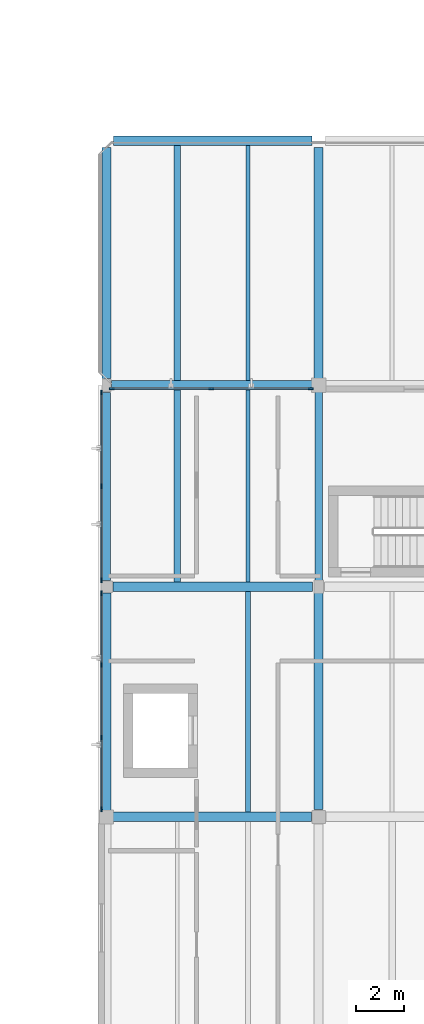
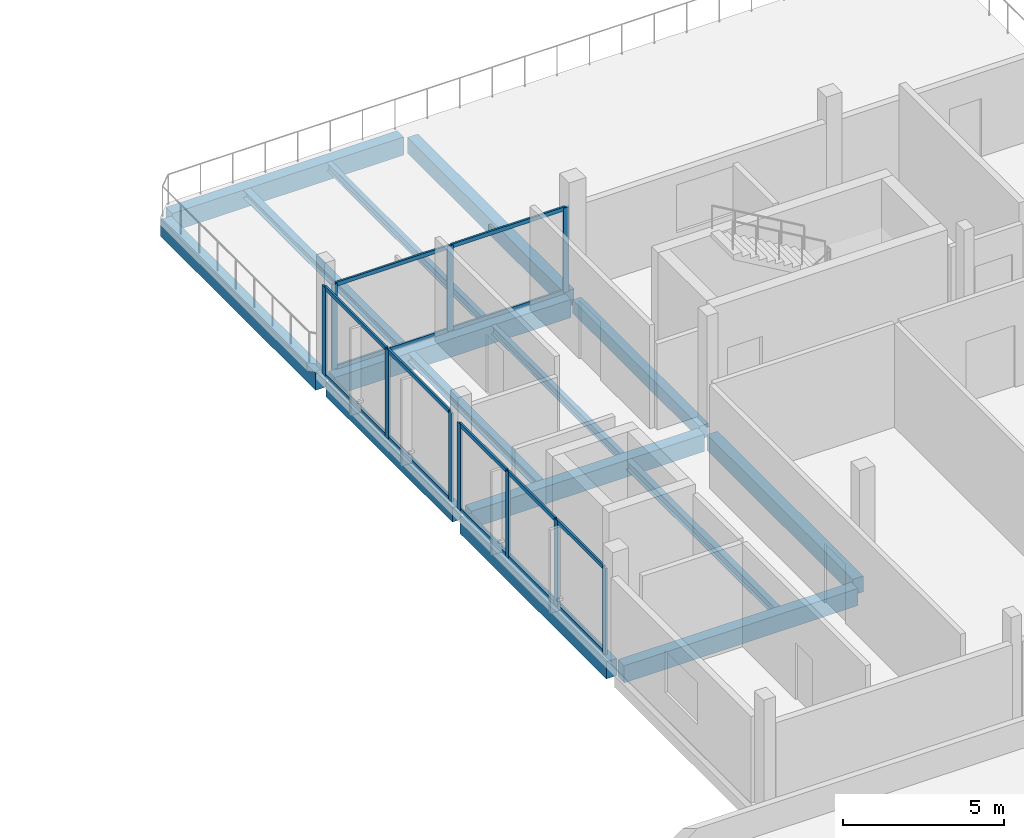
# One storey, part 15 of 41: 24 members, 15 beams, 3 elements without a shape of their own.
"""IFC4 building model written with IfcOpenShell, lengths in metres."""

from ifc_helpers import new_model, si_unit, direction, frame, origin, origin_2d, place, context, subcontext, project, spatial, rectangle, i_section, extrude, material, layer, layer_set, material_profile, profile_set, type_object, element, aggregate, save


model = new_model("IFC4")

# Units and contexts
model_context = context("Model", 3, precision=1e-05, world=origin(), true_north=direction((0.0, 1.0)))
body_context = subcontext(model_context, "Body", "Model", "MODEL_VIEW")
ifc_project = project(units=[si_unit("LENGTHUNIT", "METRE"), si_unit("AREAUNIT", "SQUARE_METRE"), si_unit("VOLUMEUNIT", "CUBIC_METRE"), si_unit("PLANEANGLEUNIT", "RADIAN"), si_unit("MASSUNIT", "GRAM", prefix="KILO")], contexts=[model_context])

# Site, building, storey
site_placement = place(None, origin())
site = spatial("IfcSite", under=ifc_project, at=site_placement, CompositionType="ELEMENT")
building_placement = place(site_placement, origin())
building = spatial("IfcBuilding", under=site, at=building_placement, Name="Birchvale Park Specialist Clinic", CompositionType="ELEMENT")
storey_placement = place(building_placement, frame((0.0, 0.0, 9.60009765625)))
storey = spatial("IfcBuildingStorey", under=building, at=storey_placement, Name="L02", CompositionType="ELEMENT", Elevation=9.60009765625)

# Beams
ifc_material_1 = material(Name="Concrete C40/50", Category="concrete")
ifc_material_profile_1 = material_profile(ifc_material_1, rectangle(XDim=0.39990234375, YDim=0.68994140625, at=origin_2d()), Name="RCB-400x690")
ifc_profile_set_1 = profile_set([ifc_material_profile_1], Name="Concrete C40/50")
beam_type_1 = type_object("IfcBeamType", Name="BM-EXT-BG4", PredefinedType="BEAM", material=ifc_profile_set_1)
beam_1_placement = place(storey_placement, frame((128.56005859375, 91.199951171875, -0.655029296875), z_axis=(1.0, 0.0, 0.0), x_axis=(0.0, 1.0, 0.0)))
element("IfcBeam", 1, at=beam_1_placement, inside=storey, type_object=beam_type_1, Name="V6 L02 X girder 10", PredefinedType="BEAM", context=body_context, shape_type="SweptSolid", body=[
    extrude(rectangle(XDim=0.39990234375, YDim=0.68994140625, at=origin_2d()), origin(), (0.0, 0.0, 1.0), 8.46484375),
])
beam_2_placement = place(storey_placement, frame((128.639892578125, 101.39990234375, -0.655029296875), z_axis=(1.0, 0.0, 0.0), x_axis=(0.0, 1.0, 0.0)))
element("IfcBeam", 2, at=beam_2_placement, inside=storey, type_object=beam_type_1, Name="V6 L02 X girder 13", PredefinedType="BEAM", context=body_context, shape_type="SweptSolid", body=[
    extrude(rectangle(XDim=0.39990234375, YDim=0.68994140625, at=origin_2d()), origin(), (0.0, 0.0, 1.0), 8.28515625),
])
ifc_material_profile_2 = material_profile(ifc_material_1, rectangle(XDim=0.3798828125, YDim=0.639892578125, at=origin_2d()), Name="RCB-380x640")
ifc_profile_set_2 = profile_set([ifc_material_profile_2], Name="Concrete C40/50")
beam_type_2 = type_object("IfcBeamType", Name="BM-EXT-BG5", PredefinedType="BEAM", material=ifc_profile_set_2)
beam_3_placement = place(storey_placement, frame((128.35009765625, 73.4599609375, -0.6201171875), z_axis=(0.0, 1.0, 0.0), x_axis=(-1.0, 0.0, 0.0)))
element("IfcBeam", 3, at=beam_3_placement, inside=storey, type_object=beam_type_2, Name="V6 L02 Y girder 17", PredefinedType="BEAM", context=body_context, shape_type="SweptSolid", body=[
    extrude(rectangle(XDim=0.3798828125, YDim=0.639892578125, at=origin_2d()), origin(), (0.0, 0.0, 1.0), 9.074951171875),
])
beam_4_placement = place(storey_placement, frame((128.35009765625, 91.489990234375, -0.630126953125), z_axis=(0.0, 1.0, 0.0), x_axis=(-1.0, 0.0, 0.0)))
element("IfcBeam", 4, at=beam_4_placement, inside=storey, type_object=beam_type_2, Name="V6 L02 Y girder 19", PredefinedType="BEAM", context=body_context, shape_type="SweptSolid", body=[
    extrude(rectangle(XDim=0.3798828125, YDim=0.639892578125, at=origin_2d()), origin(), (0.0, 0.0, 1.0), 9.6201171875),
])
ifc_material_profile_3 = material_profile(ifc_material_1, rectangle(XDim=0.320068359375, YDim=0.5400390625, at=origin_2d()), Name="RCB-320x540")
ifc_profile_set_3 = profile_set([ifc_material_profile_3], Name="Concrete C40/50")
beam_type_3 = type_object("IfcBeamType", Name="BM-EXT-BG7", PredefinedType="BEAM", material=ifc_profile_set_3)
beam_5_placement = place(storey_placement, frame((128.35009765625, 83.06494140625, -0.570068359375), z_axis=(0.0, 1.0, 0.0), x_axis=(-1.0, 0.0, 0.0)))
element("IfcBeam", 5, at=beam_5_placement, inside=storey, type_object=beam_type_3, Name="V6 L02 Y girder 18", PredefinedType="BEAM", context=body_context, shape_type="SweptSolid", body=[
    extrude(rectangle(XDim=0.320068359375, YDim=0.5400390625, at=origin_2d()), origin(), (0.0, 0.0, 1.0), 7.844970703125),
])
ifc_material_profile_4 = material_profile(ifc_material_1, rectangle(XDim=0.39990234375, YDim=0.64990234375, at=origin_2d()), Name="RCB-400x650")
ifc_profile_set_4 = profile_set([ifc_material_profile_4], Name="Concrete C40/50")
beam_type_4 = type_object("IfcBeamType", Name="BM-INT-BG4", PredefinedType="BEAM", material=ifc_profile_set_4)
beam_6_placement = place(storey_placement, frame((128.534912109375, 73.199951171875, -0.625), z_axis=(1.0, 0.0, 0.0), x_axis=(0.0, 1.0, 0.0)))
element("IfcBeam", 6, at=beam_6_placement, inside=storey, type_object=beam_type_4, Name="V6 L02 X girder 4", PredefinedType="BEAM", context=body_context, shape_type="SweptSolid", body=[
    extrude(rectangle(XDim=0.39990234375, YDim=0.64990234375, at=origin_2d()), origin(), (0.0, 0.0, 1.0), 8.364990234375),
])
beam_7_placement = place(storey_placement, frame((128.614990234375, 82.800048828125, -0.625), z_axis=(1.0, 0.0, 0.0), x_axis=(0.0, 1.0, 0.0)))
element("IfcBeam", 7, at=beam_7_placement, inside=storey, type_object=beam_type_4, Name="V6 L02 X girder 7", PredefinedType="BEAM", context=body_context, shape_type="SweptSolid", body=[
    extrude(rectangle(XDim=0.39990234375, YDim=0.64990234375, at=origin_2d()), origin(), (0.0, 0.0, 1.0), 8.3349609375),
])
ifc_material_profile_5 = material_profile(ifc_material_1, rectangle(XDim=0.3798828125, YDim=0.60009765625, at=origin_2d()), Name="RCB-380x600")
ifc_profile_set_5 = profile_set([ifc_material_profile_5], Name="Concrete C40/50")
beam_type_5 = type_object("IfcBeamType", Name="BM-INT-BG5", PredefinedType="BEAM", material=ifc_profile_set_5)
beam_8_placement = place(storey_placement, frame((137.199951171875, 73.5, -0.60009765625), z_axis=(0.0, 1.0, 0.0), x_axis=(-1.0, 0.0, 0.0)))
element("IfcBeam", 8, at=beam_8_placement, inside=storey, type_object=beam_type_5, Name="V6 L02 Y girder 21", PredefinedType="BEAM", context=body_context, shape_type="SweptSolid", body=[
    extrude(rectangle(XDim=0.3798828125, YDim=0.60009765625, at=origin_2d()), origin(), (0.0, 0.0, 1.0), 9.050048828125),
])
beam_9_placement = place(storey_placement, frame((137.199951171875, 91.449951171875, -0.610107421875), z_axis=(0.0, 1.0, 0.0), x_axis=(-1.0, 0.0, 0.0)))
element("IfcBeam", 9, at=beam_9_placement, inside=storey, type_object=beam_type_5, Name="V6 L02 Y girder 23", PredefinedType="BEAM", context=body_context, shape_type="SweptSolid", body=[
    extrude(rectangle(XDim=0.3798828125, YDim=0.60009765625, at=origin_2d()), origin(), (0.0, 0.0, 1.0), 9.675048828125),
])
ifc_material_profile_6 = material_profile(ifc_material_1, rectangle(XDim=0.320068359375, YDim=0.5, at=origin_2d()), Name="RCB-320x500")
ifc_profile_set_6 = profile_set([ifc_material_profile_6], Name="Concrete C40/50")
beam_type_6 = type_object("IfcBeamType", Name="BM-INT-BG7", PredefinedType="BEAM", material=ifc_profile_set_6)
beam_10_placement = place(storey_placement, frame((137.199951171875, 83.050048828125, -0.550048828125), z_axis=(0.0, 1.0, 0.0), x_axis=(-1.0, 0.0, 0.0)))
element("IfcBeam", 10, at=beam_10_placement, inside=storey, type_object=beam_type_6, Name="V6 L02 Y girder 22", PredefinedType="BEAM", context=body_context, shape_type="SweptSolid", body=[
    extrude(rectangle(XDim=0.320068359375, YDim=0.5, at=origin_2d()), origin(), (0.0, 0.0, 1.0), 7.89990234375),
])

# Curtain wall, members
ifc_material_2 = material(Name="Thermally broken anodised aluminium", Category="aluminium")
ifc_layer = layer(ifc_material_2, 0.2099609375)
ifc_layer_set = layer_set([ifc_layer], Name="Thermally broken anodised aluminium")
curtain_wall_type = type_object("IfcCurtainWallType", Name="CW-U3", PredefinedType="USERDEFINED", material=ifc_layer_set)
curtain_wall_1_placement = place(storey_placement, origin())
curtain_wall_1 = element("IfcCurtainWall", 11, at=curtain_wall_1_placement, inside=storey, type_object=curtain_wall_type, Name="V6 L02 glazed curtain wall 117", ObjectType="UNITISED", PredefinedType="USERDEFINED")
ifc_material_profile_7 = material_profile(ifc_material_2, rectangle(XDim=0.070068359375, YDim=0.199951171875, at=origin_2d()), Name="CWM-70x200")
ifc_profile_set_7 = profile_set([ifc_material_profile_7], Name="Thermally broken anodised aluminium")
member_type_1 = type_object("IfcMemberType", Name="CWM3", PredefinedType="MULLION", material=ifc_profile_set_7)
member_1_placement = place(storey_placement, frame((136.864990234375, 91.054931640625, 0.0), z_axis=(0.0, 0.0, 1.0), x_axis=(0.0, -1.0, 0.0)))
member_1 = element("IfcMember", 12, at=member_1_placement, type_object=member_type_1, Name="CW mullion 1", PredefinedType="MULLION", context=body_context, shape_type="SweptSolid", body=[
    extrude(rectangle(XDim=0.070068359375, YDim=0.199951171875, at=origin_2d()), origin(), (0.0, 0.0, 1.0), 3.21484375),
])
member_2_placement = place(storey_placement, frame((132.717529296875, 91.054931640625, 0.0), z_axis=(0.0, 0.0, 1.0), x_axis=(0.0, -1.0, 0.0)))
member_2 = element("IfcMember", 13, at=member_2_placement, type_object=member_type_1, Name="CW mullion 2", PredefinedType="MULLION", context=body_context, shape_type="SweptSolid", body=[
    extrude(rectangle(XDim=0.070068359375, YDim=0.199951171875, at=origin_2d()), origin(), (0.0, 0.0, 1.0), 3.21484375),
])
member_3_placement = place(storey_placement, frame((128.570068359375, 91.054931640625, 0.0), z_axis=(0.0, 0.0, 1.0), x_axis=(0.0, -1.0, 0.0)))
member_3 = element("IfcMember", 14, at=member_3_placement, type_object=member_type_1, Name="CW mullion 3", PredefinedType="MULLION", context=body_context, shape_type="SweptSolid", body=[
    extrude(rectangle(XDim=0.070068359375, YDim=0.199951171875, at=origin_2d()), origin(), (0.0, 0.0, 1.0), 3.21484375),
])

curtain_wall_2_placement = place(storey_placement, origin())
curtain_wall_2 = element("IfcCurtainWall", 15, at=curtain_wall_2_placement, inside=storey, type_object=curtain_wall_type, Name="V6 L02 glazed curtain wall 118", ObjectType="UNITISED", PredefinedType="USERDEFINED")
member_4_placement = place(storey_placement, frame((128.14501953125, 90.905029296875, 0.0), z_axis=(0.0, 0.0, 1.0), x_axis=(1.0, 0.0, 0.0)))
member_4 = element("IfcMember", 16, at=member_4_placement, type_object=member_type_1, Name="CW mullion 1", PredefinedType="MULLION", context=body_context, shape_type="SweptSolid", body=[
    extrude(rectangle(XDim=0.070068359375, YDim=0.199951171875, at=origin_2d()), origin(), (0.0, 0.0, 1.0), 3.364990234375),
])
member_5_placement = place(storey_placement, frame((128.14501953125, 86.989990234375, 0.0), z_axis=(0.0, 0.0, 1.0), x_axis=(1.0, 0.0, 0.0)))
member_5 = element("IfcMember", 17, at=member_5_placement, type_object=member_type_1, Name="CW mullion 2", PredefinedType="MULLION", context=body_context, shape_type="SweptSolid", body=[
    extrude(rectangle(XDim=0.070068359375, YDim=0.199951171875, at=origin_2d()), origin(), (0.0, 0.0, 1.0), 3.364990234375),
])
member_6_placement = place(storey_placement, frame((128.14501953125, 83.074951171875, 0.0), z_axis=(0.0, 0.0, 1.0), x_axis=(1.0, 0.0, 0.0)))
member_6 = element("IfcMember", 18, at=member_6_placement, type_object=member_type_1, Name="CW mullion 3", PredefinedType="MULLION", context=body_context, shape_type="SweptSolid", body=[
    extrude(rectangle(XDim=0.070068359375, YDim=0.199951171875, at=origin_2d()), origin(), (0.0, 0.0, 1.0), 3.364990234375),
])

curtain_wall_3_placement = place(storey_placement, origin())
curtain_wall_3 = element("IfcCurtainWall", 19, at=curtain_wall_3_placement, inside=storey, type_object=curtain_wall_type, Name="V6 L02 glazed curtain wall 119", ObjectType="UNITISED", PredefinedType="USERDEFINED")
member_7_placement = place(storey_placement, frame((128.14501953125, 82.52490234375, 0.0), z_axis=(0.0, 0.0, 1.0), x_axis=(1.0, 0.0, 0.0)))
member_7 = element("IfcMember", 20, at=member_7_placement, type_object=member_type_1, Name="CW mullion 1", PredefinedType="MULLION", context=body_context, shape_type="SweptSolid", body=[
    extrude(rectangle(XDim=0.070068359375, YDim=0.199951171875, at=origin_2d()), origin(), (0.0, 0.0, 1.0), 3.264892578125),
])
member_8_placement = place(storey_placement, frame((128.14501953125, 79.53662109375, 0.0), z_axis=(0.0, 0.0, 1.0), x_axis=(1.0, 0.0, 0.0)))
member_8 = element("IfcMember", 21, at=member_8_placement, type_object=member_type_1, Name="CW mullion 2", PredefinedType="MULLION", context=body_context, shape_type="SweptSolid", body=[
    extrude(rectangle(XDim=0.070068359375, YDim=0.199951171875, at=origin_2d()), origin(), (0.0, 0.0, 1.0), 3.264892578125),
])
member_9_placement = place(storey_placement, frame((128.14501953125, 76.513427734375, 0.0), z_axis=(0.0, 0.0, 1.0), x_axis=(1.0, 0.0, 0.0)))
member_9 = element("IfcMember", 22, at=member_9_placement, type_object=member_type_1, Name="CW mullion 3", PredefinedType="MULLION", context=body_context, shape_type="SweptSolid", body=[
    extrude(rectangle(XDim=0.070068359375, YDim=0.199951171875, at=origin_2d()), origin(), (0.0, 0.0, 1.0), 3.264892578125),
])
member_10_placement = place(storey_placement, frame((128.14501953125, 73.52490234375, 0.0), z_axis=(0.0, 0.0, 1.0), x_axis=(1.0, 0.0, 0.0)))
member_10 = element("IfcMember", 23, at=member_10_placement, type_object=member_type_1, Name="CW mullion 4", PredefinedType="MULLION", context=body_context, shape_type="SweptSolid", body=[
    extrude(rectangle(XDim=0.070068359375, YDim=0.199951171875, at=origin_2d()), origin(), (0.0, 0.0, 1.0), 3.264892578125),
])

# Member
ifc_material_profile_8 = material_profile(ifc_material_2, rectangle(XDim=0.070068359375, YDim=0.14990234375, at=origin_2d()), Name="CWT-70x150")
ifc_profile_set_8 = profile_set([ifc_material_profile_8], Name="Thermally broken anodised aluminium")
member_type_2 = type_object("IfcMemberType", Name="CWT3", PredefinedType="USERDEFINED", material=ifc_profile_set_8)
member_11_placement = place(storey_placement, frame((136.830078125, 91.054931640625, 0.034912109375), z_axis=(-1.0, 0.0, 0.0), x_axis=(0.0, -1.0, 0.0)))
member_11 = element("IfcMember", 24, at=member_11_placement, type_object=member_type_2, Name="CW transom 1.1", ObjectType="TRANSOM", PredefinedType="USERDEFINED", context=body_context, shape_type="SweptSolid", body=[
    extrude(rectangle(XDim=0.070068359375, YDim=0.14990234375, at=origin_2d()), origin(), (0.0, 0.0, 1.0), 4.07763671875),
])

member_12_placement = place(storey_placement, frame((136.830078125, 91.054931640625, 3.179931640625), z_axis=(-1.0, 0.0, 0.0), x_axis=(0.0, -1.0, 0.0)))
member_12 = element("IfcMember", 25, at=member_12_placement, type_object=member_type_2, Name="CW transom 1.2", ObjectType="TRANSOM", PredefinedType="USERDEFINED", context=body_context, shape_type="SweptSolid", body=[
    extrude(rectangle(XDim=0.070068359375, YDim=0.14990234375, at=origin_2d()), origin(), (0.0, 0.0, 1.0), 4.07763671875),
])

member_13_placement = place(storey_placement, frame((132.6826171875, 91.054931640625, 0.034912109375), z_axis=(-1.0, 0.0, 0.0), x_axis=(0.0, -1.0, 0.0)))
member_13 = element("IfcMember", 26, at=member_13_placement, type_object=member_type_2, Name="CW transom 2.1", ObjectType="TRANSOM", PredefinedType="USERDEFINED", context=body_context, shape_type="SweptSolid", body=[
    extrude(rectangle(XDim=0.070068359375, YDim=0.14990234375, at=origin_2d()), origin(), (0.0, 0.0, 1.0), 4.07763671875),
])

member_14_placement = place(storey_placement, frame((132.6826171875, 91.054931640625, 3.179931640625), z_axis=(-1.0, 0.0, 0.0), x_axis=(0.0, -1.0, 0.0)))
member_14 = element("IfcMember", 27, at=member_14_placement, type_object=member_type_2, Name="CW transom 2.2", ObjectType="TRANSOM", PredefinedType="USERDEFINED", context=body_context, shape_type="SweptSolid", body=[
    extrude(rectangle(XDim=0.070068359375, YDim=0.14990234375, at=origin_2d()), origin(), (0.0, 0.0, 1.0), 4.07763671875),
])

aggregate(curtain_wall_1, [member_1, member_2, member_3, member_11, member_12, member_13, member_14])

member_15_placement = place(storey_placement, frame((128.14501953125, 90.8701171875, 0.034912109375), z_axis=(0.0, -1.0, 0.0), x_axis=(1.0, 0.0, 0.0)))
member_15 = element("IfcMember", 28, at=member_15_placement, type_object=member_type_2, Name="CW transom 1.1", ObjectType="TRANSOM", PredefinedType="USERDEFINED", context=body_context, shape_type="SweptSolid", body=[
    extrude(rectangle(XDim=0.070068359375, YDim=0.14990234375, at=origin_2d()), origin(), (0.0, 0.0, 1.0), 3.84521484375),
])

member_16_placement = place(storey_placement, frame((128.14501953125, 90.8701171875, 3.329833984375), z_axis=(0.0, -1.0, 0.0), x_axis=(1.0, 0.0, 0.0)))
member_16 = element("IfcMember", 29, at=member_16_placement, type_object=member_type_2, Name="CW transom 1.2", ObjectType="TRANSOM", PredefinedType="USERDEFINED", context=body_context, shape_type="SweptSolid", body=[
    extrude(rectangle(XDim=0.070068359375, YDim=0.14990234375, at=origin_2d()), origin(), (0.0, 0.0, 1.0), 3.84521484375),
])

member_17_placement = place(storey_placement, frame((128.14501953125, 86.955078125, 0.034912109375), z_axis=(0.0, -1.0, 0.0), x_axis=(1.0, 0.0, 0.0)))
member_17 = element("IfcMember", 30, at=member_17_placement, type_object=member_type_2, Name="CW transom 2.1", ObjectType="TRANSOM", PredefinedType="USERDEFINED", context=body_context, shape_type="SweptSolid", body=[
    extrude(rectangle(XDim=0.070068359375, YDim=0.14990234375, at=origin_2d()), origin(), (0.0, 0.0, 1.0), 3.844970703125),
])

member_18_placement = place(storey_placement, frame((128.14501953125, 86.955078125, 3.329833984375), z_axis=(0.0, -1.0, 0.0), x_axis=(1.0, 0.0, 0.0)))
member_18 = element("IfcMember", 31, at=member_18_placement, type_object=member_type_2, Name="CW transom 2.2", ObjectType="TRANSOM", PredefinedType="USERDEFINED", context=body_context, shape_type="SweptSolid", body=[
    extrude(rectangle(XDim=0.070068359375, YDim=0.14990234375, at=origin_2d()), origin(), (0.0, 0.0, 1.0), 3.844970703125),
])

aggregate(curtain_wall_2, [member_4, member_5, member_6, member_15, member_16, member_17, member_18])

member_19_placement = place(storey_placement, frame((128.14501953125, 82.489990234375, 0.034912109375), z_axis=(0.0, -1.0, 0.0), x_axis=(1.0, 0.0, 0.0)))
member_19 = element("IfcMember", 32, at=member_19_placement, type_object=member_type_2, Name="CW transom 1.1", ObjectType="TRANSOM", PredefinedType="USERDEFINED", context=body_context, shape_type="SweptSolid", body=[
    extrude(rectangle(XDim=0.070068359375, YDim=0.14990234375, at=origin_2d()), origin(), (0.0, 0.0, 1.0), 2.918212890625),
])

member_20_placement = place(storey_placement, frame((128.14501953125, 82.489990234375, 3.22998046875), z_axis=(0.0, -1.0, 0.0), x_axis=(1.0, 0.0, 0.0)))
member_20 = element("IfcMember", 33, at=member_20_placement, type_object=member_type_2, Name="CW transom 1.2", ObjectType="TRANSOM", PredefinedType="USERDEFINED", context=body_context, shape_type="SweptSolid", body=[
    extrude(rectangle(XDim=0.070068359375, YDim=0.14990234375, at=origin_2d()), origin(), (0.0, 0.0, 1.0), 2.918212890625),
])

member_21_placement = place(storey_placement, frame((128.14501953125, 79.501708984375, 0.034912109375), z_axis=(0.0, -1.0, 0.0), x_axis=(1.0, 0.0, 0.0)))
member_21 = element("IfcMember", 34, at=member_21_placement, type_object=member_type_2, Name="CW transom 2.1", ObjectType="TRANSOM", PredefinedType="USERDEFINED", context=body_context, shape_type="SweptSolid", body=[
    extrude(rectangle(XDim=0.070068359375, YDim=0.14990234375, at=origin_2d()), origin(), (0.0, 0.0, 1.0), 2.953369140625),
])

member_22_placement = place(storey_placement, frame((128.14501953125, 79.501708984375, 3.22998046875), z_axis=(0.0, -1.0, 0.0), x_axis=(1.0, 0.0, 0.0)))
member_22 = element("IfcMember", 35, at=member_22_placement, type_object=member_type_2, Name="CW transom 2.2", ObjectType="TRANSOM", PredefinedType="USERDEFINED", context=body_context, shape_type="SweptSolid", body=[
    extrude(rectangle(XDim=0.070068359375, YDim=0.14990234375, at=origin_2d()), origin(), (0.0, 0.0, 1.0), 2.953369140625),
])

member_23_placement = place(storey_placement, frame((128.14501953125, 76.478271484375, 0.034912109375), z_axis=(0.0, -1.0, 0.0), x_axis=(1.0, 0.0, 0.0)))
member_23 = element("IfcMember", 36, at=member_23_placement, type_object=member_type_2, Name="CW transom 3.1", ObjectType="TRANSOM", PredefinedType="USERDEFINED", context=body_context, shape_type="SweptSolid", body=[
    extrude(rectangle(XDim=0.070068359375, YDim=0.14990234375, at=origin_2d()), origin(), (0.0, 0.0, 1.0), 2.918212890625),
])

member_24_placement = place(storey_placement, frame((128.14501953125, 76.478271484375, 3.22998046875), z_axis=(0.0, -1.0, 0.0), x_axis=(1.0, 0.0, 0.0)))
member_24 = element("IfcMember", 37, at=member_24_placement, type_object=member_type_2, Name="CW transom 3.2", ObjectType="TRANSOM", PredefinedType="USERDEFINED", context=body_context, shape_type="SweptSolid", body=[
    extrude(rectangle(XDim=0.070068359375, YDim=0.14990234375, at=origin_2d()), origin(), (0.0, 0.0, 1.0), 2.918212890625),
])

aggregate(curtain_wall_3, [member_7, member_8, member_9, member_10, member_19, member_20, member_21, member_22, member_23, member_24])

# Beams
ifc_material_3 = material(Name="Steel ASTM A992 Grade 50", Category="steel")
ifc_material_profile_9 = material_profile(ifc_material_3, i_section(OverallWidth=0.2041015625, OverallDepth=0.35107421875, WebThickness=0.008544921875, FlangeThickness=0.01513671875, at=origin_2d()), Name="W14X48")
ifc_profile_set_9 = profile_set([ifc_material_profile_9], Name="Steel ASTM A992 Grade 50")
beam_type_7 = type_object("IfcBeamType", Name="STL-INT-SJ1", PredefinedType="JOIST", material=ifc_profile_set_9)
beam_11_placement = place(storey_placement, frame((134.25, 73.39990234375, -0.4755859375), z_axis=(0.0, 1.0, 0.0), x_axis=(-1.0, 0.0, 0.0)))
element("IfcBeam", 38, at=beam_11_placement, inside=storey, type_object=beam_type_7, Name="V6 L02 secondary floor joist 3", PredefinedType="JOIST", context=body_context, shape_type="SweptSolid", body=[
    extrude(i_section(OverallWidth=0.2041015625, OverallDepth=0.35107421875, WebThickness=0.008544921875, FlangeThickness=0.01513671875, at=origin_2d()), origin(), (0.0, 0.0, 1.0), 9.2001953125),
])
ifc_material_profile_10 = material_profile(ifc_material_3, i_section(OverallWidth=0.25390625, OverallDepth=0.305908203125, WebThickness=0.0087890625, FlangeThickness=0.0146484375, at=origin_2d()), Name="W12X53")
ifc_profile_set_10 = profile_set([ifc_material_profile_10], Name="Steel ASTM A992 Grade 50")
beam_type_8 = type_object("IfcBeamType", Name="STL-INT-SJ2", PredefinedType="JOIST", material=ifc_profile_set_10)
beam_12_placement = place(storey_placement, frame((131.300048828125, 83.0, -0.453125), z_axis=(0.0, 1.0, 0.0), x_axis=(-1.0, 0.0, 0.0)))
element("IfcBeam", 39, at=beam_12_placement, inside=storey, type_object=beam_type_8, Name="V6 L02 secondary floor joist 4", PredefinedType="JOIST", context=body_context, shape_type="SweptSolid", body=[
    extrude(i_section(OverallWidth=0.25390625, OverallDepth=0.305908203125, WebThickness=0.0087890625, FlangeThickness=0.0146484375, at=origin_2d()), origin(), (0.0, 0.0, 1.0), 8.0),
])
beam_13_placement = place(storey_placement, frame((131.300048828125, 91.39990234375, -0.463134765625), z_axis=(0.0, 1.0, 0.0), x_axis=(-1.0, 0.0, 0.0)))
element("IfcBeam", 40, at=beam_13_placement, inside=storey, type_object=beam_type_8, Name="V6 L02 secondary floor joist 6", PredefinedType="JOIST", context=body_context, shape_type="SweptSolid", body=[
    extrude(i_section(OverallWidth=0.25390625, OverallDepth=0.305908203125, WebThickness=0.0087890625, FlangeThickness=0.0146484375, at=origin_2d()), origin(), (0.0, 0.0, 1.0), 9.800048828125),
])
ifc_material_profile_11 = material_profile(ifc_material_3, i_section(OverallWidth=0.1669921875, OverallDepth=0.31689453125, WebThickness=0.007568359375, FlangeThickness=0.01318359375, at=origin_2d()), Name="W12X35")
ifc_profile_set_11 = profile_set([ifc_material_profile_11], Name="Steel ASTM A992 Grade 50")
beam_type_9 = type_object("IfcBeamType", Name="STL-INT-SJ3", PredefinedType="JOIST", material=ifc_profile_set_11)
beam_14_placement = place(storey_placement, frame((134.25, 83.0, -0.45849609375), z_axis=(0.0, 1.0, 0.0), x_axis=(-1.0, 0.0, 0.0)))
element("IfcBeam", 41, at=beam_14_placement, inside=storey, type_object=beam_type_9, Name="V6 L02 secondary floor joist 5", PredefinedType="JOIST", context=body_context, shape_type="SweptSolid", body=[
    extrude(i_section(OverallWidth=0.1669921875, OverallDepth=0.31689453125, WebThickness=0.007568359375, FlangeThickness=0.01318359375, at=origin_2d()), origin(), (0.0, 0.0, 1.0), 8.0),
])
beam_15_placement = place(storey_placement, frame((134.25, 91.39990234375, -0.468505859375), z_axis=(0.0, 1.0, 0.0), x_axis=(-1.0, 0.0, 0.0)))
element("IfcBeam", 42, at=beam_15_placement, inside=storey, type_object=beam_type_9, Name="V6 L02 secondary floor joist 7", PredefinedType="JOIST", context=body_context, shape_type="SweptSolid", body=[
    extrude(i_section(OverallWidth=0.1669921875, OverallDepth=0.31689453125, WebThickness=0.007568359375, FlangeThickness=0.01318359375, at=origin_2d()), origin(), (0.0, 0.0, 1.0), 9.800048828125),
])

save(model, "model.ifc")
